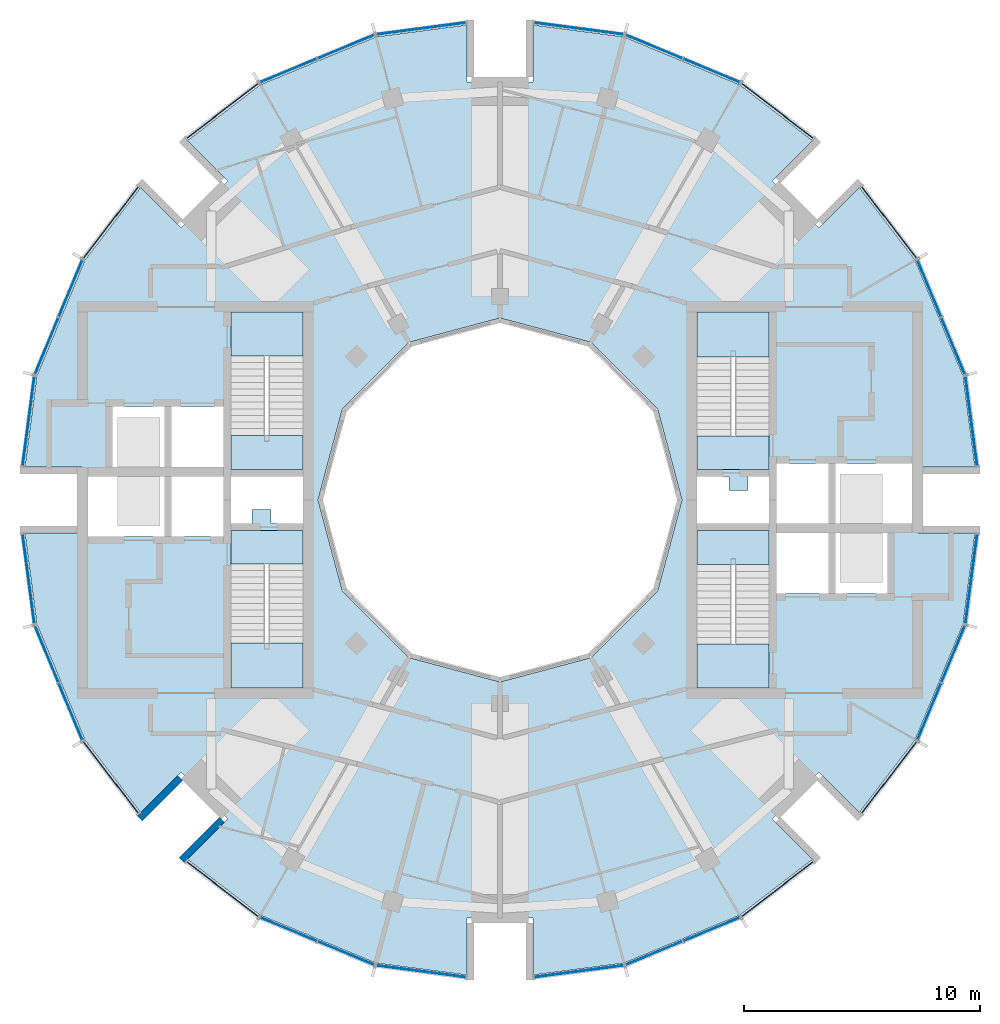
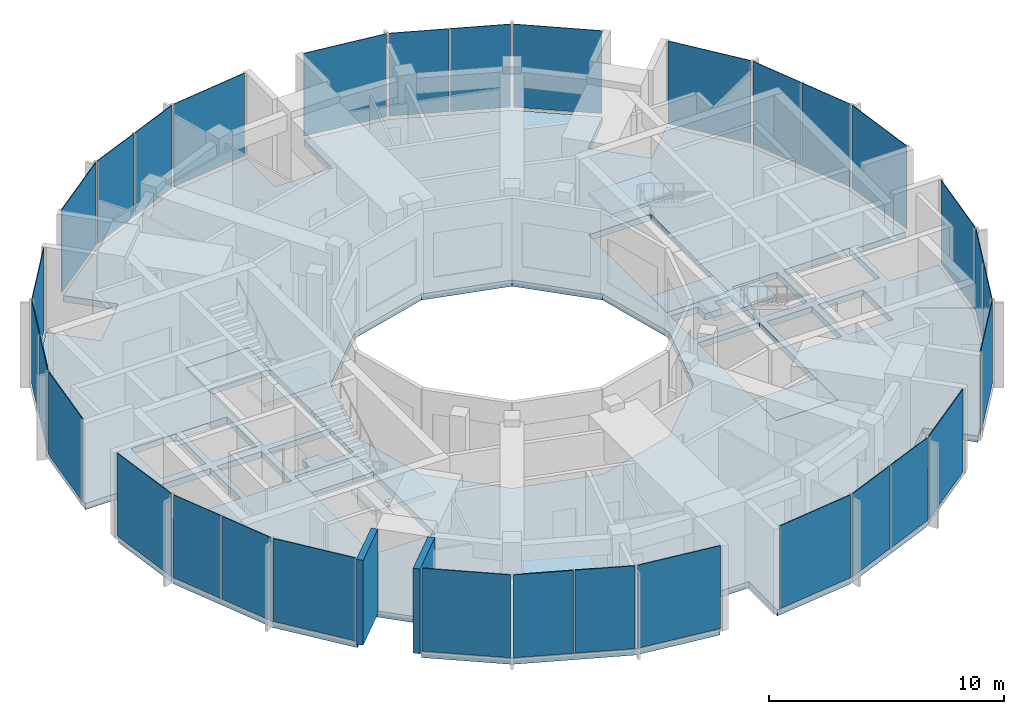
# One storey, part 6 of 13: 32 plates, 9 slabs, 2 walls, 28 elements without a shape of their own.
"""IFC4 building model written with IfcOpenShell, lengths in metres."""

import ifcopenshell
import ifcopenshell.guid

model = None  # the IFC model being written
_history = None  # IfcOwnerHistory: only IFC2X3 demands one
_inside = {}  # id of a spatial element -> (the spatial element, [elements in it])
_under = {}  # id of a project, library or spatial element -> (it, [spatial elements below it])
_declared = {}  # id of a project -> (the project, [libraries it declares])
_typed = {}  # id of a type object -> (the type object, [elements of that type])
_made_of = {}  # id of a material, layer set ... -> (it, [elements and type objects made of it])


def new_model(schema):
    """Start an empty IFC model of exactly this schema.

    Asked for "IFC4X3", IfcOpenShell would pick the latest addendum, in which some entities
    have other attributes; the version numbers below select the first issue.
    IFC2X3 requires an IfcOwnerHistory on every rooted entity: one is made here for all.
    """
    global model, _history
    if schema == "IFC4X3":
        model = ifcopenshell.file(schema_version=(4, 3, 0, 0))
    else:
        model = ifcopenshell.file(schema=schema)
    _inside.clear()
    _under.clear()
    _declared.clear()
    _typed.clear()
    _made_of.clear()
    _history = None
    if model.schema == "IFC2X3":
        org = make("IfcOrganization", Name="unknown")
        user = make(
            "IfcPersonAndOrganization",
            ThePerson=make("IfcPerson", FamilyName="unknown"),
            TheOrganization=org,
        )
        app = make(
            "IfcApplication",
            ApplicationDeveloper=org,
            Version="unknown",
            ApplicationFullName="unknown",
            ApplicationIdentifier="unknown",
        )
        _history = make(
            "IfcOwnerHistory",
            OwningUser=user,
            OwningApplication=app,
            ChangeAction="ADDED",
            CreationDate=0,
        )
    return model


def make(cls, **values):
    """One entity of the class cls with the attributes given. An attribute that is None is left unset."""
    return model.create_entity(
        cls, **{name: value for name, value in values.items() if value is not None}
    )


def rooted(cls, **values):
    """An entity with a GlobalId (a new one), such as an element, a storey or a relation."""
    return make(cls, GlobalId=ifcopenshell.guid.new(), OwnerHistory=_history, **values)


def si_unit(unit_type, name, prefix=None):
    """IfcSIUnit, for example si_unit("LENGTHUNIT", "METRE", prefix="MILLI")."""
    return make("IfcSIUnit", UnitType=unit_type, Prefix=prefix, Name=name)


def assignment(units):
    """IfcUnitAssignment: the units of a project."""
    return None if units is None else make("IfcUnitAssignment", Units=units)


def point(xyz):
    """IfcCartesianPoint."""
    return None if xyz is None else make("IfcCartesianPoint", Coordinates=xyz)


def direction(xyz):
    """IfcDirection."""
    return None if xyz is None else make("IfcDirection", DirectionRatios=xyz)


def frame(location, z_axis=None, x_axis=None):
    """IfcAxis2Placement3D, a coordinate frame: its origin and axes. An axis left out is left unset."""
    return make(
        "IfcAxis2Placement3D",
        Location=point(location),
        Axis=direction(z_axis),
        RefDirection=direction(x_axis),
    )


def frame_2d(location, x_axis=None):
    """IfcAxis2Placement2D, a coordinate frame in the plane: its origin and x axis."""
    return make(
        "IfcAxis2Placement2D", Location=point(location), RefDirection=direction(x_axis)
    )


def origin():
    """The frame at (0, 0, 0) with its axes left unset."""
    return frame((0.0, 0.0, 0.0))


def origin_2d():
    """The frame at (0, 0) in the plane with its x axis left unset."""
    return frame_2d((0.0, 0.0))


def place(relative_to, where):
    """IfcLocalPlacement: puts the frame where relative to a parent placement (None: the world)."""
    return make(
        "IfcLocalPlacement", PlacementRelTo=relative_to, RelativePlacement=where
    )


def context(
    kind, dimensions, precision=None, world=None, true_north=None, identifier=None
):
    """IfcGeometricRepresentationContext, for example the 3D "Model" context."""
    return make(
        "IfcGeometricRepresentationContext",
        ContextIdentifier=identifier,
        ContextType=kind,
        CoordinateSpaceDimension=dimensions,
        Precision=precision,
        WorldCoordinateSystem=world,
        TrueNorth=true_north,
    )


def subcontext(parent, identifier, kind, view, scale=None):
    """IfcGeometricRepresentationSubContext, for example "Body" below "Model"."""
    return make(
        "IfcGeometricRepresentationSubContext",
        ContextIdentifier=identifier,
        ContextType=kind,
        ParentContext=parent,
        TargetScale=scale,
        TargetView=view,
    )


def project(units=None, contexts=None):
    """IfcProject with its units and contexts."""
    return rooted(
        "IfcProject",
        Name="project",
        RepresentationContexts=contexts,
        UnitsInContext=assignment(units),
    )


def spatial(cls, under=None, at=None, **own):
    """A site, building, storey or space (cls), placed at a placement, below another one or the project."""
    s = rooted(cls, ObjectPlacement=at, **own)
    if under is not None:
        _under.setdefault(under.id(), (under, []))[1].append(s)
    return s


def polyline(points):
    """IfcPolyline through the points."""
    return make("IfcPolyline", Points=[point(p) for p in points])


def profile(cls, at=None, kind="AREA", **sizes):
    """A parametric profile (cls). Its sizes go by their IFC names, for example OverallWidth=200.0."""
    return make(cls, ProfileType=kind, Position=at, **sizes)


def rectangle(**sizes):
    """IfcRectangleProfileDef."""
    return profile("IfcRectangleProfileDef", **sizes)


def outline(outer, holes=None, kind="AREA"):
    """IfcArbitraryClosedProfileDef: a profile drawn as a closed curve; with holes, ...WithVoids."""
    if holes is None:
        return make("IfcArbitraryClosedProfileDef", ProfileType=kind, OuterCurve=outer)
    return make(
        "IfcArbitraryProfileDefWithVoids",
        ProfileType=kind,
        OuterCurve=outer,
        InnerCurves=holes,
    )


def extrude(swept, where, along, depth):
    """IfcExtrudedAreaSolid: the profile swept, set in the frame where, extruded along a direction by depth."""
    return make(
        "IfcExtrudedAreaSolid",
        SweptArea=swept,
        Position=where,
        ExtrudedDirection=direction(along),
        Depth=depth,
    )


def shape(context_of_items, identifier, shape_type, items):
    """IfcShapeRepresentation: the items that make up one representation, for example the "Body"."""
    return make(
        "IfcShapeRepresentation",
        ContextOfItems=context_of_items,
        RepresentationIdentifier=identifier,
        RepresentationType=shape_type,
        Items=items,
    )


def material(Name=None, Category=None):
    """IfcMaterial."""
    return make("IfcMaterial", Name=Name, Category=Category)


def layer(
    of_material, thickness, ventilated=None, Name=None, Category=None, Priority=None
):
    """IfcMaterialLayer: one layer of a wall or slab, of a material (None: an air gap)."""
    return make(
        "IfcMaterialLayer",
        Material=of_material,
        LayerThickness=thickness,
        IsVentilated=ventilated,
        Name=Name,
        Category=Category,
        Priority=Priority,
    )


def layer_set(layers, Name=None):
    """IfcMaterialLayerSet."""
    return make("IfcMaterialLayerSet", MaterialLayers=layers, LayerSetName=Name)


def made_of(thing, what):
    """Note that an element or type object is made of a material, layer set ...; save() writes the relation."""
    if what is not None:
        _made_of.setdefault(what.id(), (what, []))[1].append(thing)
    return thing


def type_object(cls, material=None, **own):
    """A type object (cls), such as IfcWallType, which elements share."""
    return made_of(rooted(cls, **own), material)


def element(
    cls,
    number,
    at=None,
    inside=None,
    cuts=None,
    type_object=None,
    material=None,
    context=None,
    identifier="Body",
    shape_type=None,
    held_by="IfcProductDefinitionShape",
    body=None,
    shapes=None,
    **own,
):
    """One element of the class cls, such as IfcWall. Its Tag is "e" and its number.

    at: its placement. inside: the storey or other place that contains it. cuts: it is an
    opening in that element (IfcRelVoidsElement). A single representation is given by context,
    identifier, shape_type and body (its items); several are given by shapes. held_by: the class
    of the entity that holds the representations. save() writes the other relations.
    """
    e = rooted(cls, Tag="e%d" % number, ObjectPlacement=at, **own)
    if body is not None:
        shapes = [shape(context, identifier, shape_type, body)]
    if shapes is not None:
        e.Representation = make(held_by, Representations=shapes)
    if inside is not None:
        _inside.setdefault(inside.id(), (inside, []))[1].append(e)
    if cuts is not None:
        rooted(
            "IfcRelVoidsElement", RelatingBuildingElement=cuts, RelatedOpeningElement=e
        )
    if type_object is not None:
        _typed.setdefault(type_object.id(), (type_object, []))[1].append(e)
    return made_of(e, material)


def aggregate(whole, parts):
    """IfcRelAggregates: a whole, such as a stair, and the parts it consists of."""
    return rooted("IfcRelAggregates", RelatingObject=whole, RelatedObjects=parts)


def save(model, path):
    """Write the relations noted so far, then the file.

    IfcRelAggregates (storeys below a building ...), IfcRelContainedInSpatialStructure (elements
    in a storey), IfcRelDefinesByType, IfcRelAssociatesMaterial and IfcRelDeclares: one each for
    every whole, place, type object, material and project.
    """
    for whole, parts in _under.values():
        aggregate(whole, parts)
    for where, things in _inside.values():
        rooted(
            "IfcRelContainedInSpatialStructure",
            RelatedElements=things,
            RelatingStructure=where,
        )
    for kind, things in _typed.values():
        rooted("IfcRelDefinesByType", RelatedObjects=things, RelatingType=kind)
    for what, things in _made_of.values():
        rooted("IfcRelAssociatesMaterial", RelatedObjects=things, RelatingMaterial=what)
    for by, libraries in _declared.values():
        rooted("IfcRelDeclares", RelatingContext=by, RelatedDefinitions=libraries)
    model.write(path)


model = new_model("IFC4")

# Units and contexts
model_context = context("Model", 3, precision=1e-05, world=origin(), true_north=direction((0.0, 1.0)))
body_context = subcontext(model_context, "Body", "Model", "MODEL_VIEW")
ifc_project = project(units=[si_unit("LENGTHUNIT", "METRE"), si_unit("AREAUNIT", "SQUARE_METRE"), si_unit("VOLUMEUNIT", "CUBIC_METRE"), si_unit("PLANEANGLEUNIT", "RADIAN"), si_unit("MASSUNIT", "GRAM", prefix="KILO")], contexts=[model_context])

# Site, building, storey
site_placement = place(None, origin())
site = spatial("IfcSite", under=ifc_project, at=site_placement, CompositionType="ELEMENT")
building_placement = place(site_placement, origin())
building = spatial("IfcBuilding", under=site, at=building_placement, Name="Torre Brocal", CompositionType="ELEMENT")
storey_placement = place(building_placement, frame((0.0, 0.0, 323.699951171875)))
storey = spatial("IfcBuildingStorey", under=building, at=storey_placement, Name="L74", CompositionType="ELEMENT", Elevation=323.699951171875)

# Curtain wall, plate
ifc_material_1 = material(Name="Aluminium and glass", Category="aluminium")
ifc_layer_1 = layer(ifc_material_1, 0.199951171875)
ifc_layer_set_1 = layer_set([ifc_layer_1], Name="Aluminium and glass")
curtain_wall_type = type_object("IfcCurtainWallType", Name="CW-5 CURTAIN WALL 4400 HIGH", PredefinedType="NOTDEFINED", material=ifc_layer_set_1)
curtain_wall_1_placement = place(storey_placement, origin())
curtain_wall_1 = element("IfcCurtainWall", 1, at=curtain_wall_1_placement, inside=storey, type_object=curtain_wall_type, Name="CW-5 RUN 1", PredefinedType="NOTDEFINED")
ifc_material_2 = material(Name="Glass, dark tinted laminated", Category="glass")
ifc_layer_2 = layer(ifc_material_2, 0.035888671875)
ifc_layer_set_2 = layer_set([ifc_layer_2], Name="Glass, dark tinted laminated")
plate_type = type_object("IfcPlateType", Name="CW-5 GLASS PANEL 36", PredefinedType="CURTAIN_PANEL", material=ifc_layer_set_2)
plate_1_placement = place(storey_placement, frame((99.95947265625, 78.33984375, 0.10009765625), z_axis=(0.0, 0.0, 1.0), x_axis=(-0.130526192064, 0.991444861394, 0.0)))
plate_1 = element("IfcPlate", 2, at=plate_1_placement, type_object=plate_type, Name="CW5-1 panel 1.1", PredefinedType="CURTAIN_PANEL", context=body_context, shape_type="SweptSolid", body=[
    extrude(rectangle(XDim=3.793212890625, YDim=0.035888671875, at=origin_2d()), origin(), (0.0, 0.0, 1.0), 4.300048828125),
])
aggregate(curtain_wall_1, [plate_1])

# Curtain wall, plates
curtain_wall_2_placement = place(storey_placement, origin())
curtain_wall_2 = element("IfcCurtainWall", 3, at=curtain_wall_2_placement, inside=storey, type_object=curtain_wall_type, Name="CW-5 RUN 2", PredefinedType="NOTDEFINED")
plate_2_placement = place(storey_placement, frame((99.188720703125, 81.5234375, 0.10009765625), z_axis=(0.0, 0.0, 1.0), x_axis=(-0.382683432446, 0.923879532478, 0.0)))
plate_2 = element("IfcPlate", 4, at=plate_2_placement, type_object=plate_type, Name="CW5-1 panel 1.1", PredefinedType="CURTAIN_PANEL", context=body_context, shape_type="SweptSolid", body=[
    extrude(rectangle(XDim=2.572509765625, YDim=0.035888671875, at=origin_2d()), origin(), (0.0, 0.0, 1.0), 4.300048828125),
])
plate_3_placement = place(storey_placement, frame((98.181396484375, 83.955810546875, 0.10009765625), z_axis=(0.0, 0.0, 1.0), x_axis=(-0.382683432446, 0.923879532478, 0.0)))
plate_3 = element("IfcPlate", 5, at=plate_3_placement, type_object=plate_type, Name="CW5-1 panel 2.1", PredefinedType="CURTAIN_PANEL", context=body_context, shape_type="SweptSolid", body=[
    extrude(rectangle(XDim=2.572509765625, YDim=0.035888671875, at=origin_2d()), origin(), (0.0, 0.0, 1.0), 4.300048828125),
])
aggregate(curtain_wall_2, [plate_2, plate_3])

# Curtain wall, plate
curtain_wall_3_placement = place(storey_placement, origin())
curtain_wall_3 = element("IfcCurtainWall", 6, at=curtain_wall_3_placement, inside=storey, type_object=curtain_wall_type, Name="CW-5 RUN 3", PredefinedType="NOTDEFINED")
plate_4_placement = place(storey_placement, frame((96.47509765625, 86.751708984375, 0.10009765625), z_axis=(0.0, 0.0, 1.0), x_axis=(-0.608761428898, 0.793353340376, 0.0)))
plate_4 = element("IfcPlate", 7, at=plate_4_placement, type_object=plate_type, Name="CW5-1 panel 1.1", PredefinedType="CURTAIN_PANEL", context=body_context, shape_type="SweptSolid", body=[
    extrude(rectangle(XDim=3.793212890625, YDim=0.035888671875, at=origin_2d()), origin(), (0.0, 0.0, 1.0), 4.300048828125),
])
aggregate(curtain_wall_3, [plate_4])

curtain_wall_4_placement = place(storey_placement, origin())
curtain_wall_4 = element("IfcCurtainWall", 8, at=curtain_wall_4_placement, inside=storey, type_object=curtain_wall_type, Name="CW-5 RUN 4", PredefinedType="NOTDEFINED")
plate_5_placement = place(storey_placement, frame((91.751708984375, 91.47509765625, 0.10009765625), z_axis=(0.0, 0.0, 1.0), x_axis=(-0.793353340376, 0.608761428898, 0.0)))
plate_5 = element("IfcPlate", 9, at=plate_5_placement, type_object=plate_type, Name="CW5-1 panel 1.1", PredefinedType="CURTAIN_PANEL", context=body_context, shape_type="SweptSolid", body=[
    extrude(rectangle(XDim=3.793212890625, YDim=0.035888671875, at=origin_2d()), origin(), (0.0, 0.0, 1.0), 4.300048828125),
])
aggregate(curtain_wall_4, [plate_5])

# Curtain wall, plates
curtain_wall_5_placement = place(storey_placement, origin())
curtain_wall_5 = element("IfcCurtainWall", 10, at=curtain_wall_5_placement, inside=storey, type_object=curtain_wall_type, Name="CW-5 RUN 5", PredefinedType="NOTDEFINED")
plate_6_placement = place(storey_placement, frame((88.955810546875, 93.181396484375, 0.10009765625), z_axis=(0.0, 0.0, 1.0), x_axis=(-0.923879532478, 0.382683432446, 0.0)))
plate_6 = element("IfcPlate", 11, at=plate_6_placement, type_object=plate_type, Name="CW5-1 panel 1.1", PredefinedType="CURTAIN_PANEL", context=body_context, shape_type="SweptSolid", body=[
    extrude(rectangle(XDim=2.572509765625, YDim=0.035888671875, at=origin_2d()), origin(), (0.0, 0.0, 1.0), 4.300048828125),
])
plate_7_placement = place(storey_placement, frame((86.5234375, 94.188720703125, 0.10009765625), z_axis=(0.0, 0.0, 1.0), x_axis=(-0.923879532478, 0.382683432446, 0.0)))
plate_7 = element("IfcPlate", 12, at=plate_7_placement, type_object=plate_type, Name="CW5-1 panel 2.1", PredefinedType="CURTAIN_PANEL", context=body_context, shape_type="SweptSolid", body=[
    extrude(rectangle(XDim=2.572509765625, YDim=0.035888671875, at=origin_2d()), origin(), (0.0, 0.0, 1.0), 4.300048828125),
])
aggregate(curtain_wall_5, [plate_6, plate_7])

# Curtain wall, plate
curtain_wall_6_placement = place(storey_placement, origin())
curtain_wall_6 = element("IfcCurtainWall", 13, at=curtain_wall_6_placement, inside=storey, type_object=curtain_wall_type, Name="CW-5 RUN 6", PredefinedType="NOTDEFINED")
plate_8_placement = place(storey_placement, frame((83.33984375, 94.95947265625, 0.10009765625), z_axis=(0.0, 0.0, 1.0), x_axis=(-0.991444861394, 0.130526192064, 0.0)))
plate_8 = element("IfcPlate", 14, at=plate_8_placement, type_object=plate_type, Name="CW5-1 panel 1.1", PredefinedType="CURTAIN_PANEL", context=body_context, shape_type="SweptSolid", body=[
    extrude(rectangle(XDim=3.793212890625, YDim=0.035888671875, at=origin_2d()), origin(), (0.0, 0.0, 1.0), 4.300048828125),
])
aggregate(curtain_wall_6, [plate_8])

curtain_wall_7_placement = place(storey_placement, origin())
curtain_wall_7 = element("IfcCurtainWall", 15, at=curtain_wall_7_placement, inside=storey, type_object=curtain_wall_type, Name="CW-5 RUN 7", PredefinedType="NOTDEFINED")
plate_9_placement = place(storey_placement, frame((76.66015625, 94.95947265625, 0.10009765625), z_axis=(0.0, 0.0, 1.0), x_axis=(-0.991444861394, -0.130526192064, 0.0)))
plate_9 = element("IfcPlate", 16, at=plate_9_placement, type_object=plate_type, Name="CW5-1 panel 1.1", PredefinedType="CURTAIN_PANEL", context=body_context, shape_type="SweptSolid", body=[
    extrude(rectangle(XDim=3.793212890625, YDim=0.035888671875, at=origin_2d()), origin(), (0.0, 0.0, 1.0), 4.300048828125),
])
aggregate(curtain_wall_7, [plate_9])

# Curtain wall, plates
curtain_wall_8_placement = place(storey_placement, origin())
curtain_wall_8 = element("IfcCurtainWall", 17, at=curtain_wall_8_placement, inside=storey, type_object=curtain_wall_type, Name="CW-5 RUN 8", PredefinedType="NOTDEFINED")
plate_10_placement = place(storey_placement, frame((73.4765625, 94.188720703125, 0.10009765625), z_axis=(0.0, 0.0, 1.0), x_axis=(-0.923879532478, -0.382683432446, 0.0)))
plate_10 = element("IfcPlate", 18, at=plate_10_placement, type_object=plate_type, Name="CW5-1 panel 1.1", PredefinedType="CURTAIN_PANEL", context=body_context, shape_type="SweptSolid", body=[
    extrude(rectangle(XDim=2.572509765625, YDim=0.035888671875, at=origin_2d()), origin(), (0.0, 0.0, 1.0), 4.300048828125),
])
plate_11_placement = place(storey_placement, frame((71.044189453125, 93.181396484375, 0.10009765625), z_axis=(0.0, 0.0, 1.0), x_axis=(-0.923879532478, -0.382683432446, 0.0)))
plate_11 = element("IfcPlate", 19, at=plate_11_placement, type_object=plate_type, Name="CW5-1 panel 2.1", PredefinedType="CURTAIN_PANEL", context=body_context, shape_type="SweptSolid", body=[
    extrude(rectangle(XDim=2.572509765625, YDim=0.035888671875, at=origin_2d()), origin(), (0.0, 0.0, 1.0), 4.300048828125),
])
aggregate(curtain_wall_8, [plate_10, plate_11])

# Curtain wall, plate
curtain_wall_9_placement = place(storey_placement, origin())
curtain_wall_9 = element("IfcCurtainWall", 20, at=curtain_wall_9_placement, inside=storey, type_object=curtain_wall_type, Name="CW-5 RUN 9", PredefinedType="NOTDEFINED")
plate_12_placement = place(storey_placement, frame((68.248291015625, 91.47509765625, 0.10009765625), z_axis=(0.0, 0.0, 1.0), x_axis=(-0.793353340376, -0.608761428898, 0.0)))
plate_12 = element("IfcPlate", 21, at=plate_12_placement, type_object=plate_type, Name="CW5-1 panel 1.1", PredefinedType="CURTAIN_PANEL", context=body_context, shape_type="SweptSolid", body=[
    extrude(rectangle(XDim=3.793212890625, YDim=0.035888671875, at=origin_2d()), origin(), (0.0, 0.0, 1.0), 4.300048828125),
])
aggregate(curtain_wall_9, [plate_12])

curtain_wall_10_placement = place(storey_placement, origin())
curtain_wall_10 = element("IfcCurtainWall", 22, at=curtain_wall_10_placement, inside=storey, type_object=curtain_wall_type, Name="CW-5 RUN 10", PredefinedType="NOTDEFINED")
plate_13_placement = place(storey_placement, frame((63.52490234375, 86.751708984375, 0.10009765625), z_axis=(0.0, 0.0, 1.0), x_axis=(-0.608761428898, -0.793353340376, 0.0)))
plate_13 = element("IfcPlate", 23, at=plate_13_placement, type_object=plate_type, Name="CW5-1 panel 1.1", PredefinedType="CURTAIN_PANEL", context=body_context, shape_type="SweptSolid", body=[
    extrude(rectangle(XDim=3.793212890625, YDim=0.035888671875, at=origin_2d()), origin(), (0.0, 0.0, 1.0), 4.300048828125),
])
aggregate(curtain_wall_10, [plate_13])

# Curtain wall, plates
curtain_wall_11_placement = place(storey_placement, origin())
curtain_wall_11 = element("IfcCurtainWall", 24, at=curtain_wall_11_placement, inside=storey, type_object=curtain_wall_type, Name="CW-5 RUN 11", PredefinedType="NOTDEFINED")
plate_14_placement = place(storey_placement, frame((61.818603515625, 83.955810546875, 0.10009765625), z_axis=(0.0, 0.0, 1.0), x_axis=(-0.382683432446, -0.923879532478, 0.0)))
plate_14 = element("IfcPlate", 25, at=plate_14_placement, type_object=plate_type, Name="CW5-1 panel 1.1", PredefinedType="CURTAIN_PANEL", context=body_context, shape_type="SweptSolid", body=[
    extrude(rectangle(XDim=2.572509765625, YDim=0.035888671875, at=origin_2d()), origin(), (0.0, 0.0, 1.0), 4.300048828125),
])
plate_15_placement = place(storey_placement, frame((60.811279296875, 81.5234375, 0.10009765625), z_axis=(0.0, 0.0, 1.0), x_axis=(-0.382683432446, -0.923879532478, 0.0)))
plate_15 = element("IfcPlate", 26, at=plate_15_placement, type_object=plate_type, Name="CW5-1 panel 2.1", PredefinedType="CURTAIN_PANEL", context=body_context, shape_type="SweptSolid", body=[
    extrude(rectangle(XDim=2.572509765625, YDim=0.035888671875, at=origin_2d()), origin(), (0.0, 0.0, 1.0), 4.300048828125),
])
aggregate(curtain_wall_11, [plate_14, plate_15])

# Curtain wall, plate
curtain_wall_12_placement = place(storey_placement, origin())
curtain_wall_12 = element("IfcCurtainWall", 27, at=curtain_wall_12_placement, inside=storey, type_object=curtain_wall_type, Name="CW-5 RUN 12", PredefinedType="NOTDEFINED")
plate_16_placement = place(storey_placement, frame((60.04052734375, 78.33984375, 0.10009765625), z_axis=(0.0, 0.0, 1.0), x_axis=(-0.130526192064, -0.991444861394, 0.0)))
plate_16 = element("IfcPlate", 28, at=plate_16_placement, type_object=plate_type, Name="CW5-1 panel 1.1", PredefinedType="CURTAIN_PANEL", context=body_context, shape_type="SweptSolid", body=[
    extrude(rectangle(XDim=3.793212890625, YDim=0.035888671875, at=origin_2d()), origin(), (0.0, 0.0, 1.0), 4.300048828125),
])
aggregate(curtain_wall_12, [plate_16])

curtain_wall_13_placement = place(storey_placement, origin())
curtain_wall_13 = element("IfcCurtainWall", 29, at=curtain_wall_13_placement, inside=storey, type_object=curtain_wall_type, Name="CW-5 RUN 13", PredefinedType="NOTDEFINED")
plate_17_placement = place(storey_placement, frame((60.04052734375, 71.66015625, 0.10009765625), z_axis=(0.0, 0.0, 1.0), x_axis=(0.130526192064, -0.991444861394, 0.0)))
plate_17 = element("IfcPlate", 30, at=plate_17_placement, type_object=plate_type, Name="CW5-1 panel 1.1", PredefinedType="CURTAIN_PANEL", context=body_context, shape_type="SweptSolid", body=[
    extrude(rectangle(XDim=3.793212890625, YDim=0.035888671875, at=origin_2d()), origin(), (0.0, 0.0, 1.0), 4.300048828125),
])
aggregate(curtain_wall_13, [plate_17])

# Curtain wall, plates
curtain_wall_14_placement = place(storey_placement, origin())
curtain_wall_14 = element("IfcCurtainWall", 31, at=curtain_wall_14_placement, inside=storey, type_object=curtain_wall_type, Name="CW-5 RUN 14", PredefinedType="NOTDEFINED")
plate_18_placement = place(storey_placement, frame((60.811279296875, 68.4765625, 0.10009765625), z_axis=(0.0, 0.0, 1.0), x_axis=(0.382683432446, -0.923879532478, 0.0)))
plate_18 = element("IfcPlate", 32, at=plate_18_placement, type_object=plate_type, Name="CW5-1 panel 1.1", PredefinedType="CURTAIN_PANEL", context=body_context, shape_type="SweptSolid", body=[
    extrude(rectangle(XDim=2.572509765625, YDim=0.035888671875, at=origin_2d()), origin(), (0.0, 0.0, 1.0), 4.300048828125),
])
plate_19_placement = place(storey_placement, frame((61.818603515625, 66.044189453125, 0.10009765625), z_axis=(0.0, 0.0, 1.0), x_axis=(0.382683432446, -0.923879532478, 0.0)))
plate_19 = element("IfcPlate", 33, at=plate_19_placement, type_object=plate_type, Name="CW5-1 panel 2.1", PredefinedType="CURTAIN_PANEL", context=body_context, shape_type="SweptSolid", body=[
    extrude(rectangle(XDim=2.572509765625, YDim=0.035888671875, at=origin_2d()), origin(), (0.0, 0.0, 1.0), 4.300048828125),
])
aggregate(curtain_wall_14, [plate_18, plate_19])

# Curtain wall, plate
curtain_wall_15_placement = place(storey_placement, origin())
curtain_wall_15 = element("IfcCurtainWall", 34, at=curtain_wall_15_placement, inside=storey, type_object=curtain_wall_type, Name="CW-5 RUN 15", PredefinedType="NOTDEFINED")
plate_20_placement = place(storey_placement, frame((63.52490234375, 63.248291015625, 0.10009765625), z_axis=(0.0, 0.0, 1.0), x_axis=(0.608761428898, -0.793353340376, 0.0)))
plate_20 = element("IfcPlate", 35, at=plate_20_placement, type_object=plate_type, Name="CW5-1 panel 1.1", PredefinedType="CURTAIN_PANEL", context=body_context, shape_type="SweptSolid", body=[
    extrude(rectangle(XDim=3.793212890625, YDim=0.035888671875, at=origin_2d()), origin(), (0.0, 0.0, 1.0), 4.300048828125),
])
aggregate(curtain_wall_15, [plate_20])

curtain_wall_16_placement = place(storey_placement, origin())
curtain_wall_16 = element("IfcCurtainWall", 36, at=curtain_wall_16_placement, inside=storey, type_object=curtain_wall_type, Name="CW-5 RUN 16", PredefinedType="NOTDEFINED")
plate_21_placement = place(storey_placement, frame((68.248291015625, 58.52490234375, 0.10009765625), z_axis=(0.0, 0.0, 1.0), x_axis=(0.793353340376, -0.608761428898, 0.0)))
plate_21 = element("IfcPlate", 37, at=plate_21_placement, type_object=plate_type, Name="CW5-1 panel 1.1", PredefinedType="CURTAIN_PANEL", context=body_context, shape_type="SweptSolid", body=[
    extrude(rectangle(XDim=3.793212890625, YDim=0.035888671875, at=origin_2d()), origin(), (0.0, 0.0, 1.0), 4.300048828125),
])
aggregate(curtain_wall_16, [plate_21])

# Curtain wall, plates
curtain_wall_17_placement = place(storey_placement, origin())
curtain_wall_17 = element("IfcCurtainWall", 38, at=curtain_wall_17_placement, inside=storey, type_object=curtain_wall_type, Name="CW-5 RUN 17", PredefinedType="NOTDEFINED")
plate_22_placement = place(storey_placement, frame((71.044189453125, 56.818603515625, 0.10009765625), z_axis=(0.0, 0.0, 1.0), x_axis=(0.923879532478, -0.382683432446, 0.0)))
plate_22 = element("IfcPlate", 39, at=plate_22_placement, type_object=plate_type, Name="CW5-1 panel 1.1", PredefinedType="CURTAIN_PANEL", context=body_context, shape_type="SweptSolid", body=[
    extrude(rectangle(XDim=2.572509765625, YDim=0.035888671875, at=origin_2d()), origin(), (0.0, 0.0, 1.0), 4.300048828125),
])
plate_23_placement = place(storey_placement, frame((73.4765625, 55.811279296875, 0.10009765625), z_axis=(0.0, 0.0, 1.0), x_axis=(0.923879532478, -0.382683432446, 0.0)))
plate_23 = element("IfcPlate", 40, at=plate_23_placement, type_object=plate_type, Name="CW5-1 panel 2.1", PredefinedType="CURTAIN_PANEL", context=body_context, shape_type="SweptSolid", body=[
    extrude(rectangle(XDim=2.572509765625, YDim=0.035888671875, at=origin_2d()), origin(), (0.0, 0.0, 1.0), 4.300048828125),
])
aggregate(curtain_wall_17, [plate_22, plate_23])

# Curtain wall, plate
curtain_wall_18_placement = place(storey_placement, origin())
curtain_wall_18 = element("IfcCurtainWall", 41, at=curtain_wall_18_placement, inside=storey, type_object=curtain_wall_type, Name="CW-5 RUN 18", PredefinedType="NOTDEFINED")
plate_24_placement = place(storey_placement, frame((76.66015625, 55.04052734375, 0.10009765625), z_axis=(0.0, 0.0, 1.0), x_axis=(0.991444861394, -0.130526192064, 0.0)))
plate_24 = element("IfcPlate", 42, at=plate_24_placement, type_object=plate_type, Name="CW5-1 panel 1.1", PredefinedType="CURTAIN_PANEL", context=body_context, shape_type="SweptSolid", body=[
    extrude(rectangle(XDim=3.793212890625, YDim=0.035888671875, at=origin_2d()), origin(), (0.0, 0.0, 1.0), 4.300048828125),
])
aggregate(curtain_wall_18, [plate_24])

curtain_wall_19_placement = place(storey_placement, origin())
curtain_wall_19 = element("IfcCurtainWall", 43, at=curtain_wall_19_placement, inside=storey, type_object=curtain_wall_type, Name="CW-5 RUN 19", PredefinedType="NOTDEFINED")
plate_25_placement = place(storey_placement, frame((83.33984375, 55.04052734375, 0.10009765625), z_axis=(0.0, 0.0, 1.0), x_axis=(0.991444861394, 0.130526192064, 0.0)))
plate_25 = element("IfcPlate", 44, at=plate_25_placement, type_object=plate_type, Name="CW5-1 panel 1.1", PredefinedType="CURTAIN_PANEL", context=body_context, shape_type="SweptSolid", body=[
    extrude(rectangle(XDim=3.793212890625, YDim=0.035888671875, at=origin_2d()), origin(), (0.0, 0.0, 1.0), 4.300048828125),
])
aggregate(curtain_wall_19, [plate_25])

# Curtain wall, plates
curtain_wall_20_placement = place(storey_placement, origin())
curtain_wall_20 = element("IfcCurtainWall", 45, at=curtain_wall_20_placement, inside=storey, type_object=curtain_wall_type, Name="CW-5 RUN 20", PredefinedType="NOTDEFINED")
plate_26_placement = place(storey_placement, frame((86.5234375, 55.811279296875, 0.10009765625), z_axis=(0.0, 0.0, 1.0), x_axis=(0.923879532478, 0.382683432446, 0.0)))
plate_26 = element("IfcPlate", 46, at=plate_26_placement, type_object=plate_type, Name="CW5-1 panel 1.1", PredefinedType="CURTAIN_PANEL", context=body_context, shape_type="SweptSolid", body=[
    extrude(rectangle(XDim=2.572509765625, YDim=0.035888671875, at=origin_2d()), origin(), (0.0, 0.0, 1.0), 4.300048828125),
])
plate_27_placement = place(storey_placement, frame((88.955810546875, 56.818603515625, 0.10009765625), z_axis=(0.0, 0.0, 1.0), x_axis=(0.923879532478, 0.382683432446, 0.0)))
plate_27 = element("IfcPlate", 47, at=plate_27_placement, type_object=plate_type, Name="CW5-1 panel 2.1", PredefinedType="CURTAIN_PANEL", context=body_context, shape_type="SweptSolid", body=[
    extrude(rectangle(XDim=2.572509765625, YDim=0.035888671875, at=origin_2d()), origin(), (0.0, 0.0, 1.0), 4.300048828125),
])
aggregate(curtain_wall_20, [plate_26, plate_27])

# Curtain wall, plate
curtain_wall_21_placement = place(storey_placement, origin())
curtain_wall_21 = element("IfcCurtainWall", 48, at=curtain_wall_21_placement, inside=storey, type_object=curtain_wall_type, Name="CW-5 RUN 21", PredefinedType="NOTDEFINED")
plate_28_placement = place(storey_placement, frame((91.751708984375, 58.52490234375, 0.10009765625), z_axis=(0.0, 0.0, 1.0), x_axis=(0.793353340376, 0.608761428898, 0.0)))
plate_28 = element("IfcPlate", 49, at=plate_28_placement, type_object=plate_type, Name="CW5-1 panel 1.1", PredefinedType="CURTAIN_PANEL", context=body_context, shape_type="SweptSolid", body=[
    extrude(rectangle(XDim=3.793212890625, YDim=0.035888671875, at=origin_2d()), origin(), (0.0, 0.0, 1.0), 4.300048828125),
])
aggregate(curtain_wall_21, [plate_28])

curtain_wall_22_placement = place(storey_placement, origin())
curtain_wall_22 = element("IfcCurtainWall", 50, at=curtain_wall_22_placement, inside=storey, type_object=curtain_wall_type, Name="CW-5 RUN 22", PredefinedType="NOTDEFINED")
plate_29_placement = place(storey_placement, frame((96.47509765625, 63.248291015625, 0.10009765625), z_axis=(0.0, 0.0, 1.0), x_axis=(0.608761428898, 0.793353340376, 0.0)))
plate_29 = element("IfcPlate", 51, at=plate_29_placement, type_object=plate_type, Name="CW5-1 panel 1.1", PredefinedType="CURTAIN_PANEL", context=body_context, shape_type="SweptSolid", body=[
    extrude(rectangle(XDim=3.793212890625, YDim=0.035888671875, at=origin_2d()), origin(), (0.0, 0.0, 1.0), 4.300048828125),
])
aggregate(curtain_wall_22, [plate_29])

# Curtain wall, plates
curtain_wall_23_placement = place(storey_placement, origin())
curtain_wall_23 = element("IfcCurtainWall", 52, at=curtain_wall_23_placement, inside=storey, type_object=curtain_wall_type, Name="CW-5 RUN 23", PredefinedType="NOTDEFINED")
plate_30_placement = place(storey_placement, frame((98.181396484375, 66.044189453125, 0.10009765625), z_axis=(0.0, 0.0, 1.0), x_axis=(0.382683432446, 0.923879532478, 0.0)))
plate_30 = element("IfcPlate", 53, at=plate_30_placement, type_object=plate_type, Name="CW5-1 panel 1.1", PredefinedType="CURTAIN_PANEL", context=body_context, shape_type="SweptSolid", body=[
    extrude(rectangle(XDim=2.572509765625, YDim=0.035888671875, at=origin_2d()), origin(), (0.0, 0.0, 1.0), 4.300048828125),
])
plate_31_placement = place(storey_placement, frame((99.188720703125, 68.4765625, 0.10009765625), z_axis=(0.0, 0.0, 1.0), x_axis=(0.382683432446, 0.923879532478, 0.0)))
plate_31 = element("IfcPlate", 54, at=plate_31_placement, type_object=plate_type, Name="CW5-1 panel 2.1", PredefinedType="CURTAIN_PANEL", context=body_context, shape_type="SweptSolid", body=[
    extrude(rectangle(XDim=2.572509765625, YDim=0.035888671875, at=origin_2d()), origin(), (0.0, 0.0, 1.0), 4.300048828125),
])
aggregate(curtain_wall_23, [plate_30, plate_31])

# Curtain wall, plate
curtain_wall_24_placement = place(storey_placement, origin())
curtain_wall_24 = element("IfcCurtainWall", 55, at=curtain_wall_24_placement, inside=storey, type_object=curtain_wall_type, Name="CW-5 RUN 24", PredefinedType="NOTDEFINED")
plate_32_placement = place(storey_placement, frame((99.95947265625, 71.66015625, 0.10009765625), z_axis=(0.0, 0.0, 1.0), x_axis=(0.130526192064, 0.991444861394, 0.0)))
plate_32 = element("IfcPlate", 56, at=plate_32_placement, type_object=plate_type, Name="CW5-1 panel 1.1", PredefinedType="CURTAIN_PANEL", context=body_context, shape_type="SweptSolid", body=[
    extrude(rectangle(XDim=3.793212890625, YDim=0.035888671875, at=origin_2d()), origin(), (0.0, 0.0, 1.0), 4.300048828125),
])
aggregate(curtain_wall_24, [plate_32])

# Stair, slab
ifc_material_3 = material(Name="Concrete C50", Category="concrete")
stair_type = type_object("IfcStairType", Name="EXIT STAIR", PredefinedType="HALF_TURN_STAIR", material=ifc_material_3)
stair_1_placement = place(storey_placement, origin())
stair_1 = element("IfcStair", 57, at=stair_1_placement, inside=storey, type_object=stair_type, Name="EXIT STAIR ST1", PredefinedType="HALF_TURN_STAIR")
ifc_material_4 = material(Name="Concrete C50", Category="concrete")
ifc_layer_3 = layer(ifc_material_4, 0.320068359375)
ifc_layer_set_3 = layer_set([ifc_layer_3], Name="Concrete C50")
slab_type_1 = type_object("IfcSlabType", Name="FLOOR LANDING 320", PredefinedType="LANDING", material=ifc_layer_set_3)
slab_1_placement = place(storey_placement, frame((0.0, 0.0, -0.320068359375)))
slab_1 = element("IfcSlab", 58, at=slab_1_placement, type_object=slab_type_1, Name="ST1 landing 1", PredefinedType="LANDING", context=body_context, shape_type="SweptSolid", body=[
    extrude(outline(polyline([(88.35009765625, 76.300048828125), (91.39990234375, 76.300048828125), (91.39990234375, 77.699951171875), (88.35009765625, 77.699951171875), (88.35009765625, 76.300048828125)])), origin(), (0.0, 0.0, 1.0), 0.320068359375),
])

stair_2_placement = place(storey_placement, origin())
stair_2 = element("IfcStair", 59, at=stair_2_placement, inside=storey, type_object=stair_type, Name="EXIT STAIR ST2", PredefinedType="HALF_TURN_STAIR")
slab_2_placement = place(storey_placement, frame((0.0, 0.0, -0.320068359375)))
slab_2 = element("IfcSlab", 60, at=slab_2_placement, type_object=slab_type_1, Name="ST2 landing 1", PredefinedType="LANDING", context=body_context, shape_type="SweptSolid", body=[
    extrude(outline(polyline([(88.35009765625, 67.050048828125), (91.39990234375, 67.050048828125), (91.39990234375, 68.89990234375), (88.35009765625, 68.89990234375), (88.35009765625, 67.050048828125)])), origin(), (0.0, 0.0, 1.0), 0.320068359375),
])

stair_3_placement = place(storey_placement, origin())
stair_3 = element("IfcStair", 61, at=stair_3_placement, inside=storey, type_object=stair_type, Name="EXIT STAIR ST3", PredefinedType="HALF_TURN_STAIR")
slab_3_placement = place(storey_placement, frame((0.0, 0.0, -0.320068359375)))
slab_3 = element("IfcSlab", 62, at=slab_3_placement, type_object=slab_type_1, Name="ST3 landing 1", PredefinedType="LANDING", context=body_context, shape_type="SweptSolid", body=[
    extrude(outline(polyline([(71.64990234375, 73.699951171875), (68.60009765625, 73.699951171875), (68.60009765625, 72.300048828125), (71.64990234375, 72.300048828125), (71.64990234375, 73.699951171875)])), origin(), (0.0, 0.0, 1.0), 0.320068359375),
])

stair_4_placement = place(storey_placement, origin())
stair_4 = element("IfcStair", 63, at=stair_4_placement, inside=storey, type_object=stair_type, Name="EXIT STAIR ST4", PredefinedType="HALF_TURN_STAIR")
slab_4_placement = place(storey_placement, frame((0.0, 0.0, -0.320068359375)))
slab_4 = element("IfcSlab", 64, at=slab_4_placement, type_object=slab_type_1, Name="ST4 landing 1", PredefinedType="LANDING", context=body_context, shape_type="SweptSolid", body=[
    extrude(outline(polyline([(71.64990234375, 82.949951171875), (68.60009765625, 82.949951171875), (68.60009765625, 81.10009765625), (71.64990234375, 81.10009765625), (71.64990234375, 82.949951171875)])), origin(), (0.0, 0.0, 1.0), 0.320068359375),
])

# Slab
ifc_material_5 = material(Name="Concrete C50", Category="concrete")
ifc_layer_4 = layer(ifc_material_5, 0.199951171875)
ifc_layer_set_4 = layer_set([ifc_layer_4], Name="Concrete C50")
slab_type_2 = type_object("IfcSlabType", Name="MID LANDING +2200", PredefinedType="LANDING", material=ifc_layer_set_4)
slab_5_placement = place(storey_placement, frame((0.0, 0.0, 2.0)))
slab_5 = element("IfcSlab", 65, at=slab_5_placement, type_object=slab_type_2, Name="ST1 landing 2", PredefinedType="LANDING", context=body_context, shape_type="SweptSolid", body=[
    extrude(outline(polyline([(88.35009765625, 81.06005859375), (91.39990234375, 81.06005859375), (91.39990234375, 82.949951171875), (88.35009765625, 82.949951171875), (88.35009765625, 81.06005859375)])), origin(), (0.0, 0.0, 1.0), 0.199951171875),
])

aggregate(stair_1, [slab_1, slab_5])

slab_6_placement = place(storey_placement, frame((0.0, 0.0, 2.0)))
slab_6 = element("IfcSlab", 66, at=slab_6_placement, type_object=slab_type_2, Name="ST2 landing 2", PredefinedType="LANDING", context=body_context, shape_type="SweptSolid", body=[
    extrude(outline(polyline([(88.35009765625, 72.260009765625), (91.39990234375, 72.260009765625), (91.39990234375, 73.699951171875), (88.35009765625, 73.699951171875), (88.35009765625, 72.260009765625)])), origin(), (0.0, 0.0, 1.0), 0.199951171875),
])

aggregate(stair_2, [slab_2, slab_6])

slab_7_placement = place(storey_placement, frame((0.0, 0.0, 2.0)))
slab_7 = element("IfcSlab", 67, at=slab_7_placement, type_object=slab_type_2, Name="ST3 landing 2", PredefinedType="LANDING", context=body_context, shape_type="SweptSolid", body=[
    extrude(outline(polyline([(71.64990234375, 68.93994140625), (68.60009765625, 68.93994140625), (68.60009765625, 67.050048828125), (71.64990234375, 67.050048828125), (71.64990234375, 68.93994140625)])), origin(), (0.0, 0.0, 1.0), 0.199951171875),
])

aggregate(stair_3, [slab_3, slab_7])

slab_8_placement = place(storey_placement, frame((0.0, 0.0, 2.0)))
slab_8 = element("IfcSlab", 68, at=slab_8_placement, type_object=slab_type_2, Name="ST4 landing 2", PredefinedType="LANDING", context=body_context, shape_type="SweptSolid", body=[
    extrude(outline(polyline([(71.64990234375, 77.739990234375), (68.60009765625, 77.739990234375), (68.60009765625, 76.300048828125), (71.64990234375, 76.300048828125), (71.64990234375, 77.739990234375)])), origin(), (0.0, 0.0, 1.0), 0.199951171875),
])

aggregate(stair_4, [slab_4, slab_8])

ifc_material_6 = material(Name="Concrete C45", Category="concrete")
ifc_layer_5 = layer(ifc_material_6, 0.320068359375)
ifc_layer_set_5 = layer_set([ifc_layer_5], Name="Concrete C45")
slab_type_3 = type_object("IfcSlabType", Name="PT FLOOR SLAB 320 C45", PredefinedType="FLOOR", material=ifc_layer_set_5)
slab_9_placement = place(storey_placement, frame((0.0, 0.0, -0.320068359375)))
element("IfcSlab", 69, at=slab_9_placement, inside=storey, type_object=slab_type_3, Name="Slab ST-05", PredefinedType="FLOOR", context=body_context, shape_type="SweptSolid", body=[
    extrude(outline(polyline([(97.699951171875, 76.39990234375), (97.699951171875, 73.60009765625), (100.114013671875, 73.60009765625), (99.606689453125, 69.746337890625), (97.578857421875, 64.850830078125), (95.212646484375, 61.767333984375), (93.505859375, 63.47412109375), (91.52587890625, 61.494140625), (93.232666015625, 59.787353515625), (90.149169921875, 57.421142578125), (85.253662109375, 55.393310546875), (81.39990234375, 54.885986328125), (81.39990234375, 57.300048828125), (78.60009765625, 57.300048828125), (78.60009765625, 54.885986328125), (74.746337890625, 55.393310546875), (69.850830078125, 57.421142578125), (66.767333984375, 59.787353515625), (68.47412109375, 61.494140625), (66.494140625, 63.47412109375), (64.787353515625, 61.767333984375), (62.421142578125, 64.850830078125), (60.393310546875, 69.746337890625), (59.885986328125, 73.60009765625), (62.300048828125, 73.60009765625), (62.300048828125, 76.39990234375), (59.885986328125, 76.39990234375), (60.393310546875, 80.253662109375), (62.421142578125, 85.149169921875), (64.787353515625, 88.232666015625), (66.494140625, 86.52587890625), (68.47412109375, 88.505859375), (66.767333984375, 90.212646484375), (69.850830078125, 92.578857421875), (74.746337890625, 94.606689453125), (78.60009765625, 95.114013671875), (78.60009765625, 92.699951171875), (81.39990234375, 92.699951171875), (81.39990234375, 95.114013671875), (85.253662109375, 94.606689453125), (90.149169921875, 92.578857421875), (93.232666015625, 90.212646484375), (91.52587890625, 88.505859375), (93.505859375, 86.52587890625), (95.212646484375, 88.232666015625), (97.578857421875, 85.149169921875), (99.606689453125, 80.253662109375), (100.114013671875, 76.39990234375), (97.699951171875, 76.39990234375)]), holes=[polyline([(97.449951171875, 76.550048828125), (94.199951171875, 76.550048828125), (94.199951171875, 74.0), (97.449951171875, 74.0), (97.449951171875, 76.550048828125)]), polyline([(96.39990234375, 73.60009765625), (94.199951171875, 73.60009765625), (94.199951171875, 71.050048828125), (96.39990234375, 71.050048828125), (96.39990234375, 73.60009765625)]), polyline([(93.89990234375, 73.60009765625), (91.699951171875, 73.60009765625), (91.699951171875, 71.050048828125), (93.89990234375, 71.050048828125), (93.89990234375, 73.60009765625)]), polyline([(93.89990234375, 76.550048828125), (91.699951171875, 76.550048828125), (91.699951171875, 74.0), (93.89990234375, 74.0), (93.89990234375, 76.550048828125)]), polyline([(89.699951171875, 76.0), (88.35009765625, 76.0), (88.35009765625, 74.0), (91.39990234375, 74.0), (91.39990234375, 76.0), (90.5, 76.0), (90.5, 75.39990234375), (89.699951171875, 75.39990234375), (89.699951171875, 76.0)]), polyline([(88.35009765625, 73.699951171875), (88.35009765625, 67.050048828125), (91.39990234375, 67.050048828125), (91.39990234375, 73.699951171875), (88.35009765625, 73.699951171875)]), polyline([(91.39990234375, 82.949951171875), (88.35009765625, 82.949951171875), (88.35009765625, 76.300048828125), (91.39990234375, 76.300048828125), (91.39990234375, 82.949951171875)]), polyline([(80.0, 82.70703125), (76.146484375, 81.674560546875), (73.325439453125, 78.853515625), (72.29296875, 75.0), (73.325439453125, 71.146484375), (76.146484375, 68.325439453125), (80.0, 67.29296875), (83.853515625, 68.325439453125), (86.674560546875, 71.146484375), (87.70703125, 75.0), (86.674560546875, 78.853515625), (83.853515625, 81.674560546875), (80.0, 82.70703125)]), polyline([(71.64990234375, 67.050048828125), (71.64990234375, 73.699951171875), (68.60009765625, 73.699951171875), (68.60009765625, 67.050048828125), (71.64990234375, 67.050048828125)]), polyline([(68.60009765625, 76.300048828125), (71.64990234375, 76.300048828125), (71.64990234375, 82.949951171875), (68.60009765625, 82.949951171875), (68.60009765625, 76.300048828125)]), polyline([(70.300048828125, 74.0), (71.64990234375, 74.0), (71.64990234375, 76.0), (68.60009765625, 76.0), (68.60009765625, 74.0), (69.5, 74.0), (69.5, 74.60009765625), (70.300048828125, 74.60009765625), (70.300048828125, 74.0)]), polyline([(66.10009765625, 73.449951171875), (68.300048828125, 73.449951171875), (68.300048828125, 76.0), (66.10009765625, 76.0), (66.10009765625, 73.449951171875)]), polyline([(66.10009765625, 76.39990234375), (68.300048828125, 76.39990234375), (68.300048828125, 78.949951171875), (66.10009765625, 78.949951171875), (66.10009765625, 76.39990234375)]), polyline([(62.550048828125, 73.449951171875), (65.800048828125, 73.449951171875), (65.800048828125, 76.0), (62.550048828125, 76.0), (62.550048828125, 73.449951171875)]), polyline([(63.60009765625, 76.39990234375), (65.800048828125, 76.39990234375), (65.800048828125, 78.949951171875), (63.60009765625, 78.949951171875), (63.60009765625, 76.39990234375)])]), origin(), (0.0, 0.0, 1.0), 0.320068359375),
])

# Walls
ifc_material_7 = material(Name="Concrete C50", Category="concrete")
ifc_layer_6 = layer(ifc_material_7, 0.300048828125)
ifc_layer_set_6 = layer_set([ifc_layer_6], Name="Concrete C50")
wall_type = type_object("IfcWallType", Name="NOTCH RETURN WALL 300 C50", PredefinedType="NOTDEFINED", material=ifc_layer_set_6)
for number, where, z_axis, x_axis, name in (
    (70, (66.458984375, 63.2265625, 0.0), (0.0, 0.0, 1.0), (-0.707157312274, -0.707056246487, 0.0), "NOTCH RETURN WALL"),
    (71, (68.2265625, 61.458984375, 0.0), (0.0, 0.0, 1.0), (-0.707056246487, -0.707157312274, 0.0), "NOTCH RETURN WALL"),
):
    element("IfcWall", number, at=place(storey_placement, frame(where, z_axis=z_axis, x_axis=x_axis)), inside=storey, type_object=wall_type, Name=name, PredefinedType="NOTDEFINED", context=body_context, shape_type="SweptSolid", body=[
        extrude(rectangle(XDim=2.415771484375, YDim=0.300048828125, at=frame_2d((1.2080078125, 0.0))), origin(), (0.0, 0.0, 1.0), 4.400146484375),
    ])

save(model, "model.ifc")
